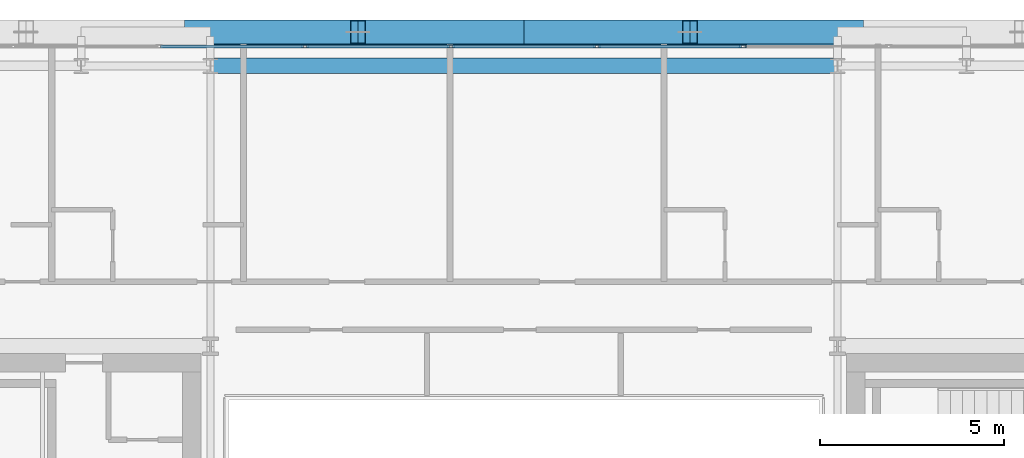
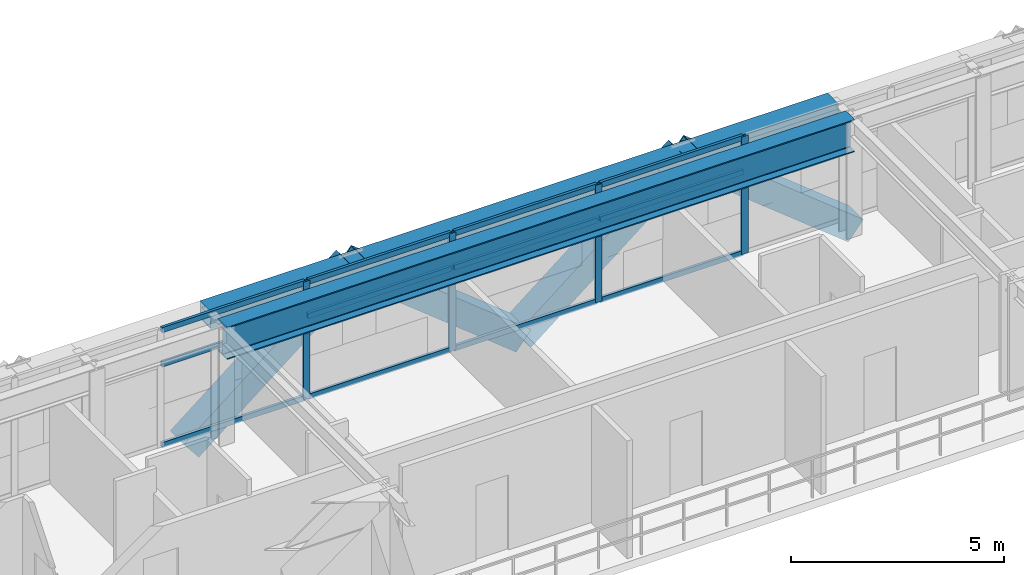
# One storey, part 17 of 31: 20 members, 2 beams, 1 element without a shape of its own.
"""IFC4 building model written with IfcOpenShell, lengths in metres."""

from ifc_helpers import new_model, si_unit, direction, frame, origin, origin_2d, place, context, subcontext, project, spatial, hollow_rectangle, i_section, extrude, source, transform, mapped, material, layer, layer_set, material_profile, profile_set, type_object, element, aggregate, save


model = new_model("IFC4")

# Units and contexts
model_context = context("Model", 3, precision=1e-05, world=origin(), true_north=direction((0.0, 1.0)))
body_context = subcontext(model_context, "Body", "Model", "MODEL_VIEW")
ifc_project = project(units=[si_unit("LENGTHUNIT", "METRE"), si_unit("AREAUNIT", "SQUARE_METRE"), si_unit("VOLUMEUNIT", "CUBIC_METRE"), si_unit("PLANEANGLEUNIT", "RADIAN"), si_unit("MASSUNIT", "GRAM", prefix="KILO")], contexts=[model_context])

# Site, building, storey
site_placement = place(None, origin())
site = spatial("IfcSite", under=ifc_project, at=site_placement, CompositionType="ELEMENT")
building_placement = place(site_placement, origin())
building = spatial("IfcBuilding", under=site, at=building_placement, Name="Ocotamira Hotel", CompositionType="ELEMENT")
storey_placement = place(building_placement, frame((0.0, 0.0, 188.39990234375)))
storey = spatial("IfcBuildingStorey", under=building, at=storey_placement, Name="L47", CompositionType="ELEMENT", Elevation=188.39990234375)

# Beams
ifc_material_1 = material(Name="Steel ASTM A992 Grade 50", Category="steel")
ifc_material_profile_1 = material_profile(ifc_material_1, i_section(OverallWidth=0.41796875, OverallDepth=0.927001953125, WebThickness=0.019287109375, FlangeThickness=0.031982421875, FilletRadius=0.02392578125, at=origin_2d()), Name="W36X231")
ifc_profile_set_1 = profile_set([ifc_material_profile_1], Name="Steel ASTM A992 Grade 50")
beam_type_1 = type_object("IfcBeamType", Name="BM-GIRD-W36X231", PredefinedType="BEAM", material=ifc_profile_set_1)
shared_shape_1 = source(origin(), body_context, "Body", "SweptSolid", [
    extrude(i_section(OverallWidth=0.41796875, OverallDepth=0.927001953125, WebThickness=0.019287109375, FlangeThickness=0.031982421875, FilletRadius=0.02392578125, at=origin_2d()), origin(), (0.0, 0.0, 1.0), 17.0),
])
beam_1_placement = place(storey_placement, frame((23.5, 45.050048828125, 2.906494140625), z_axis=(1.0, 0.0, 0.0), x_axis=(0.0, 1.0, 0.0)))
element("IfcBeam", 1, at=beam_1_placement, inside=storey, type_object=beam_type_1, Name="L47 Girder Y45.05 X23.5-40.5", PredefinedType="BEAM", context=body_context, shape_type="MappedRepresentation", body=[
    mapped(shared_shape_1, transform((0.0, 0.0, 0.0), scale=1.0)),
])
ifc_material_2 = material(Name="Steel ASTM A500 Grade C", Category="steel")
ifc_material_profile_2 = material_profile(ifc_material_2, hollow_rectangle(XDim=0.5, YDim=0.5, WallThickness=0.02001953125, at=origin_2d()), Name="HSS500X500X20")
ifc_profile_set_2 = profile_set([ifc_material_profile_2], Name="Steel ASTM A500 Grade C")
beam_type_2 = type_object("IfcBeamType", Name="BM-SPAN-HSS500", PredefinedType="USERDEFINED", material=ifc_profile_set_2)
shared_shape_2 = source(origin(), body_context, "Body", "SweptSolid", [
    extrude(hollow_rectangle(XDim=0.5, YDim=0.5, WallThickness=0.02001953125, at=origin_2d()), origin(), (0.0, 0.0, 1.0), 17.0),
])
beam_2_placement = place(storey_placement, frame((23.5, 45.85009765625, 3.1201171875), z_axis=(1.0, 0.0, 0.0), x_axis=(0.0, 1.0, 0.0)))
element("IfcBeam", 2, at=beam_2_placement, inside=storey, type_object=beam_type_2, Name="L47 Edge Spandrel N X23.5-40.5", ObjectType="SPANDREL", PredefinedType="USERDEFINED", context=body_context, shape_type="MappedRepresentation", body=[
    mapped(shared_shape_2, transform((0.0, 0.0, 0.0), scale=1.0)),
])

# Members
ifc_material_3 = material(Name="Pale-metal coated steel ASTM A913 Grade 65", Category="steel")
ifc_material_profile_3 = material_profile(ifc_material_3, hollow_rectangle(XDim=0.64990234375, YDim=0.64990234375, WallThickness=0.02197265625, at=origin_2d()), Name="BOX650X650X22")
ifc_profile_set_3 = profile_set([ifc_material_profile_3], Name="Pale-metal coated steel ASTM A913 Grade 65")
member_type_1 = type_object("IfcMemberType", Name="MEM-EXO-BOX650", PredefinedType="BRACE", material=ifc_profile_set_3)
shared_shape_3 = source(origin(), body_context, "Body", "SweptSolid", [
    extrude(hollow_rectangle(XDim=0.64990234375, YDim=0.64990234375, WallThickness=0.02197265625, at=origin_2d()), origin(), (0.0, 0.0, 1.0), 5.762939453125),
])
for number, where, z_axis, x_axis, name in (
    (3, (23.0, 45.969970703125, -0.47998046875), (0.780860543151, 0.0, 0.624705380279), (0.0, 1.0, 0.0), "L47 Exoskeleton Diagrid N1.1"),
    (4, (32.0, 45.969970703125, -0.47998046875), (-0.780860543151, 0.0, 0.624705380279), (0.0, -1.0, 0.0), "L47 Exoskeleton Diagrid N1.2"),
    (5, (32.0, 45.969970703125, -0.47998046875), (0.780860543151, 0.0, 0.624705380279), (0.0, 1.0, 0.0), "L47 Exoskeleton Diagrid N2.1"),
    (6, (41.0, 45.969970703125, -0.47998046875), (-0.780860543151, 0.0, 0.624705380279), (0.0, -1.0, 0.0), "L47 Exoskeleton Diagrid N2.2"),
):
    element("IfcMember", number, at=place(storey_placement, frame(where, z_axis=z_axis, x_axis=x_axis)), inside=storey, type_object=member_type_1, Name=name, PredefinedType="BRACE", context=body_context, shape_type="MappedRepresentation", body=[
        mapped(shared_shape_3, transform((0.0, 0.0, 0.0), scale=1.0)),
    ])

# Curtain wall, members
ifc_material_4 = material(Name="Anodised pale-metal aluminium and solar glass", Category="aluminium")
ifc_layer = layer(ifc_material_4, 0.199951171875)
ifc_layer_set = layer_set([ifc_layer], Name="Anodised pale-metal aluminium and solar glass")
curtain_wall_type = type_object("IfcCurtainWallType", Name="CW-SYS4-Z3", PredefinedType="NOTDEFINED", material=ifc_layer_set)
curtain_wall_placement = place(storey_placement, origin())
curtain_wall = element("IfcCurtainWall", 7, at=curtain_wall_placement, inside=storey, type_object=curtain_wall_type, Name="L47 Curtain Wall CW-4 CW-L47-N", PredefinedType="NOTDEFINED")
ifc_material_5 = material(Name="Anodised pale-metal aluminium 6063-T6", Category="aluminium")
ifc_material_profile_4 = material_profile(ifc_material_5, hollow_rectangle(XDim=0.074951171875, YDim=0.14990234375, WallThickness=0.006103515625, at=origin_2d()), Name="HSS150X75X6")
ifc_profile_set_4 = profile_set([ifc_material_profile_4], Name="Anodised pale-metal aluminium 6063-T6")
member_type_2 = type_object("IfcMemberType", Name="CWT-150X75", PredefinedType="USERDEFINED", material=ifc_profile_set_4)
shared_shape_4 = source(origin(), body_context, "Body", "SweptSolid", [
    extrude(hollow_rectangle(XDim=0.074951171875, YDim=0.14990234375, WallThickness=0.006103515625, at=origin_2d()), origin(), (0.0, 0.0, 1.0), 3.87548828125),
])
member_1_placement = place(storey_placement, frame((22.151123046875, 45.580078125, 0.03759765625), z_axis=(1.0, 0.0, 0.0), x_axis=(0.0, 1.0, 0.0)))
member_1 = element("IfcMember", 8, at=member_1_placement, type_object=member_type_2, Name="CW-4 transom 3.1", ObjectType="TRANSOM", PredefinedType="USERDEFINED", context=body_context, shape_type="MappedRepresentation", body=[
    mapped(shared_shape_4, transform((0.0, 0.0, 0.0), scale=1.0)),
])
member_2_placement = place(storey_placement, frame((22.151123046875, 45.580078125, 2.35009765625), z_axis=(1.0, 0.0, 0.0), x_axis=(0.0, 1.0, 0.0)))
member_2 = element("IfcMember", 9, at=member_2_placement, type_object=member_type_2, Name="CW-4 transom 3.2", ObjectType="TRANSOM", PredefinedType="USERDEFINED", context=body_context, shape_type="MappedRepresentation", body=[
    mapped(shared_shape_4, transform((0.0, 0.0, 0.0), scale=1.0)),
])
member_3_placement = place(storey_placement, frame((22.151123046875, 45.580078125, 3.33251953125), z_axis=(1.0, 0.0, 0.0), x_axis=(0.0, 1.0, 0.0)))
member_3 = element("IfcMember", 10, at=member_3_placement, type_object=member_type_2, Name="CW-4 transom 3.3", ObjectType="TRANSOM", PredefinedType="USERDEFINED", context=body_context, shape_type="MappedRepresentation", body=[
    mapped(shared_shape_4, transform((0.0, 0.0, 0.0), scale=1.0)),
])
member_4_placement = place(storey_placement, frame((26.106689453125, 45.580078125, 0.03759765625), z_axis=(1.0, 0.0, 0.0), x_axis=(0.0, 1.0, 0.0)))
member_4 = element("IfcMember", 11, at=member_4_placement, type_object=member_type_2, Name="CW-4 transom 4.1", ObjectType="TRANSOM", PredefinedType="USERDEFINED", context=body_context, shape_type="MappedRepresentation", body=[
    mapped(shared_shape_4, transform((0.0, 0.0, 0.0), scale=1.0)),
])
member_5_placement = place(storey_placement, frame((26.106689453125, 45.580078125, 2.35009765625), z_axis=(1.0, 0.0, 0.0), x_axis=(0.0, 1.0, 0.0)))
member_5 = element("IfcMember", 12, at=member_5_placement, type_object=member_type_2, Name="CW-4 transom 4.2", ObjectType="TRANSOM", PredefinedType="USERDEFINED", context=body_context, shape_type="MappedRepresentation", body=[
    mapped(shared_shape_4, transform((0.0, 0.0, 0.0), scale=1.0)),
])
member_6_placement = place(storey_placement, frame((26.106689453125, 45.580078125, 3.33251953125), z_axis=(1.0, 0.0, 0.0), x_axis=(0.0, 1.0, 0.0)))
member_6 = element("IfcMember", 13, at=member_6_placement, type_object=member_type_2, Name="CW-4 transom 4.3", ObjectType="TRANSOM", PredefinedType="USERDEFINED", context=body_context, shape_type="MappedRepresentation", body=[
    mapped(shared_shape_4, transform((0.0, 0.0, 0.0), scale=1.0)),
])
member_7_placement = place(storey_placement, frame((30.062255859375, 45.580078125, 0.03759765625), z_axis=(1.0, 0.0, 0.0), x_axis=(0.0, 1.0, 0.0)))
member_7 = element("IfcMember", 14, at=member_7_placement, type_object=member_type_2, Name="CW-4 transom 5.1", ObjectType="TRANSOM", PredefinedType="USERDEFINED", context=body_context, shape_type="MappedRepresentation", body=[
    mapped(shared_shape_4, transform((0.0, 0.0, 0.0), scale=1.0)),
])
member_8_placement = place(storey_placement, frame((30.062255859375, 45.580078125, 2.35009765625), z_axis=(1.0, 0.0, 0.0), x_axis=(0.0, 1.0, 0.0)))
member_8 = element("IfcMember", 15, at=member_8_placement, type_object=member_type_2, Name="CW-4 transom 5.2", ObjectType="TRANSOM", PredefinedType="USERDEFINED", context=body_context, shape_type="MappedRepresentation", body=[
    mapped(shared_shape_4, transform((0.0, 0.0, 0.0), scale=1.0)),
])
member_9_placement = place(storey_placement, frame((30.062255859375, 45.580078125, 3.33251953125), z_axis=(1.0, 0.0, 0.0), x_axis=(0.0, 1.0, 0.0)))
member_9 = element("IfcMember", 16, at=member_9_placement, type_object=member_type_2, Name="CW-4 transom 5.3", ObjectType="TRANSOM", PredefinedType="USERDEFINED", context=body_context, shape_type="MappedRepresentation", body=[
    mapped(shared_shape_4, transform((0.0, 0.0, 0.0), scale=1.0)),
])
member_10_placement = place(storey_placement, frame((34.017822265625, 45.580078125, 0.03759765625), z_axis=(1.0, 0.0, 0.0), x_axis=(0.0, 1.0, 0.0)))
member_10 = element("IfcMember", 17, at=member_10_placement, type_object=member_type_2, Name="CW-4 transom 6.1", ObjectType="TRANSOM", PredefinedType="USERDEFINED", context=body_context, shape_type="MappedRepresentation", body=[
    mapped(shared_shape_4, transform((0.0, 0.0, 0.0), scale=1.0)),
])
member_11_placement = place(storey_placement, frame((34.017822265625, 45.580078125, 2.35009765625), z_axis=(1.0, 0.0, 0.0), x_axis=(0.0, 1.0, 0.0)))
member_11 = element("IfcMember", 18, at=member_11_placement, type_object=member_type_2, Name="CW-4 transom 6.2", ObjectType="TRANSOM", PredefinedType="USERDEFINED", context=body_context, shape_type="MappedRepresentation", body=[
    mapped(shared_shape_4, transform((0.0, 0.0, 0.0), scale=1.0)),
])
member_12_placement = place(storey_placement, frame((34.017822265625, 45.580078125, 3.33251953125), z_axis=(1.0, 0.0, 0.0), x_axis=(0.0, 1.0, 0.0)))
member_12 = element("IfcMember", 19, at=member_12_placement, type_object=member_type_2, Name="CW-4 transom 6.3", ObjectType="TRANSOM", PredefinedType="USERDEFINED", context=body_context, shape_type="MappedRepresentation", body=[
    mapped(shared_shape_4, transform((0.0, 0.0, 0.0), scale=1.0)),
])
ifc_material_profile_5 = material_profile(ifc_material_5, hollow_rectangle(XDim=0.080078125, YDim=0.179931640625, WallThickness=0.006103515625, at=origin_2d()), Name="HSS180X80X6")
ifc_profile_set_5 = profile_set([ifc_material_profile_5], Name="Anodised pale-metal aluminium 6063-T6")
member_type_3 = type_object("IfcMemberType", Name="CWM-180X75", PredefinedType="MULLION", material=ifc_profile_set_5)
shared_shape_5 = source(origin(), body_context, "Body", "SweptSolid", [
    extrude(hollow_rectangle(XDim=0.080078125, YDim=0.179931640625, WallThickness=0.006103515625, at=origin_2d()), origin(), (0.0, 0.0, 1.0), 3.3701171875),
])
member_13_placement = place(storey_placement, frame((26.066650390625, 45.580078125, 0.0), z_axis=(0.0, 0.0, 1.0), x_axis=(0.0, 1.0, 0.0)))
member_13 = element("IfcMember", 20, at=member_13_placement, type_object=member_type_3, Name="CW-4 mullion 4", PredefinedType="MULLION", context=body_context, shape_type="MappedRepresentation", body=[
    mapped(shared_shape_5, transform((0.0, 0.0, 0.0), scale=1.0)),
])
member_14_placement = place(storey_placement, frame((30.022216796875, 45.580078125, 0.0), z_axis=(0.0, 0.0, 1.0), x_axis=(0.0, 1.0, 0.0)))
member_14 = element("IfcMember", 21, at=member_14_placement, type_object=member_type_3, Name="CW-4 mullion 5", PredefinedType="MULLION", context=body_context, shape_type="MappedRepresentation", body=[
    mapped(shared_shape_5, transform((0.0, 0.0, 0.0), scale=1.0)),
])
member_15_placement = place(storey_placement, frame((33.977783203125, 45.580078125, 0.0), z_axis=(0.0, 0.0, 1.0), x_axis=(0.0, 1.0, 0.0)))
member_15 = element("IfcMember", 22, at=member_15_placement, type_object=member_type_3, Name="CW-4 mullion 6", PredefinedType="MULLION", context=body_context, shape_type="MappedRepresentation", body=[
    mapped(shared_shape_5, transform((0.0, 0.0, 0.0), scale=1.0)),
])
member_16_placement = place(storey_placement, frame((37.933349609375, 45.580078125, 0.0), z_axis=(0.0, 0.0, 1.0), x_axis=(0.0, 1.0, 0.0)))
member_16 = element("IfcMember", 23, at=member_16_placement, type_object=member_type_3, Name="CW-4 mullion 7", PredefinedType="MULLION", context=body_context, shape_type="MappedRepresentation", body=[
    mapped(shared_shape_5, transform((0.0, 0.0, 0.0), scale=1.0)),
])
aggregate(curtain_wall, [member_13, member_14, member_15, member_16, member_1, member_2, member_3, member_4, member_5, member_6, member_7, member_8, member_9, member_10, member_11, member_12])

save(model, "model.ifc")
